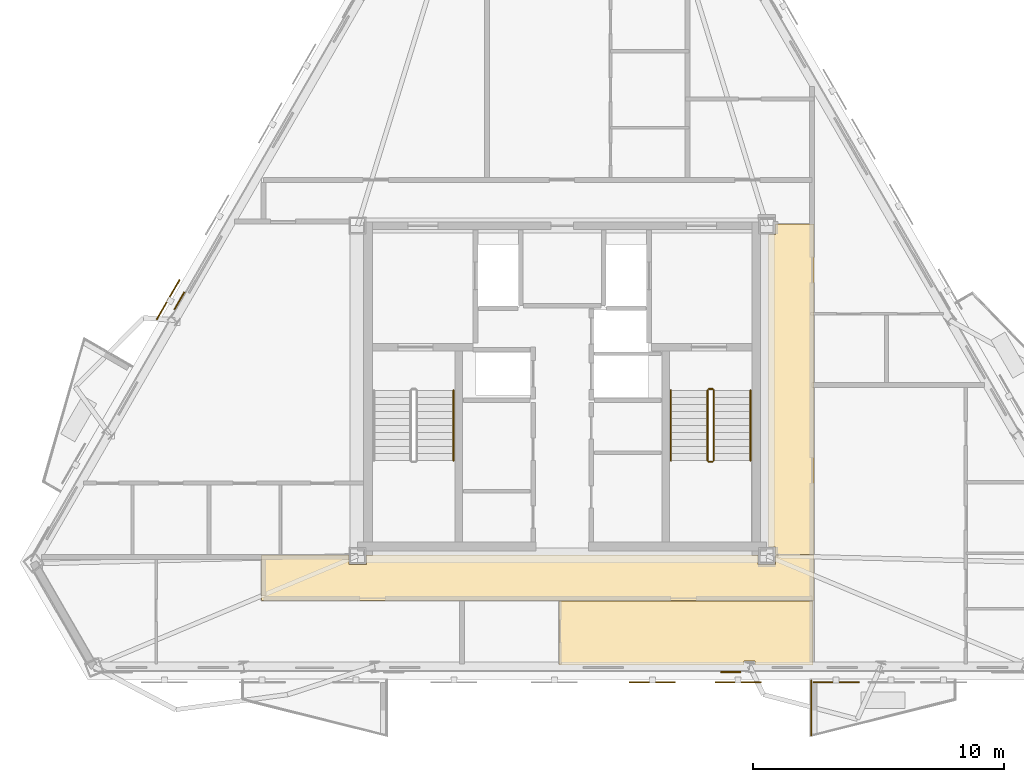
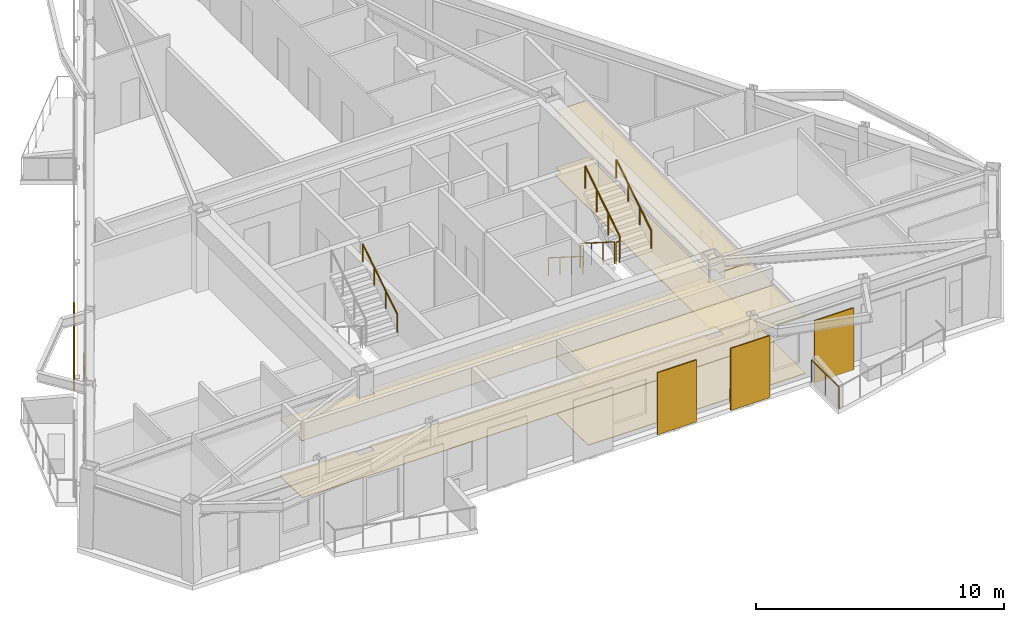
# One storey, part 8 of 9: 8 coverings, 8 railings, 4 shading devices.
"""IFC4 building model written with IfcOpenShell, lengths in metres."""

from ifc_helpers import new_model, si_unit, direction, frame, origin, origin_2d, place, context, subcontext, project, spatial, polyline, rectangle, circle, outline, extrude, material, layer, layer_set, type_object, element, save


model = new_model("IFC4")

# Units and contexts
model_context = context("Model", 3, precision=1e-05, world=origin(), true_north=direction((0.0, 1.0)))
body_context = subcontext(model_context, "Body", "Model", "MODEL_VIEW")
ifc_project = project(units=[si_unit("LENGTHUNIT", "METRE"), si_unit("AREAUNIT", "SQUARE_METRE"), si_unit("VOLUMEUNIT", "CUBIC_METRE"), si_unit("PLANEANGLEUNIT", "RADIAN"), si_unit("MASSUNIT", "GRAM", prefix="KILO")], contexts=[model_context])

# Site, building, storey
site_placement = place(None, origin())
site = spatial("IfcSite", under=ifc_project, at=site_placement, CompositionType="ELEMENT")
building_placement = place(site_placement, origin())
building = spatial("IfcBuilding", under=site, at=building_placement, Name="Oramaril Tower", CompositionType="ELEMENT")
storey_placement = place(building_placement, frame((0.0, 0.0, 269.39990234375)))
storey = spatial("IfcBuildingStorey", under=building, at=storey_placement, Name="L71", CompositionType="ELEMENT", Elevation=269.39990234375)

# Coverings
ifc_material_1 = material(Name="Mineral Fibre Acoustic Ceiling")
ifc_layer_1 = layer(ifc_material_1, 0.02001953125)
ifc_layer_set_1 = layer_set([ifc_layer_1], Name="CVT-CEIL")
covering_type_1 = type_object("IfcCoveringType", Name="CVT-CEIL", PredefinedType="CEILING", material=ifc_layer_set_1)
covering_1_placement = place(storey_placement, frame((0.0, 0.0, 2.81201171875)))
element("IfcCovering", 1, at=covering_1_placement, inside=storey, type_object=covering_type_1, Name="L71 Acoustic Suspended Ceiling 1", PredefinedType="CEILING", context=body_context, shape_type="SweptSolid", body=[
    extrude(outline(polyline([(29.0048828125, 10.655029296875), (29.695068359375, 10.655029296875), (29.695068359375, 11.030029296875), (45.304931640625, 11.030029296875), (45.304931640625, 10.655029296875), (45.9951171875, 10.655029296875), (45.9951171875, 11.030029296875), (47.530029296875, 11.030029296875), (47.530029296875, 9.219970703125), (25.52001953125, 9.219970703125), (25.52001953125, 11.030029296875), (29.0048828125, 11.030029296875), (29.0048828125, 10.655029296875)])), origin(), (0.0, 0.0, 1.0), 0.02001953125),
])
covering_2_placement = place(storey_placement, frame((0.0, 0.0, 2.81201171875)))
element("IfcCovering", 2, at=covering_2_placement, inside=storey, type_object=covering_type_1, Name="L71 Acoustic Suspended Ceiling 3", PredefinedType="CEILING", context=body_context, shape_type="SweptSolid", body=[
    extrude(outline(polyline([(47.530029296875, 11.050048828125), (45.9951171875, 11.050048828125), (45.9951171875, 11.344970703125), (45.719970703125, 11.344970703125), (45.719970703125, 23.804931640625), (45.9951171875, 23.804931640625), (45.9951171875, 24.219970703125), (47.530029296875, 24.219970703125), (47.530029296875, 11.050048828125)])), origin(), (0.0, 0.0, 1.0), 0.02001953125),
])
covering_3_placement = place(storey_placement, frame((0.0, 0.0, 2.81201171875)))
element("IfcCovering", 3, at=covering_3_placement, inside=storey, type_object=covering_type_1, Name="L71 Acoustic Suspended Ceiling 6", PredefinedType="CEILING", context=body_context, shape_type="SweptSolid", body=[
    extrude(outline(polyline([(45.175048828125, 6.800537109375), (44.752685546875, 6.800537109375), (44.752685546875, 6.642578125), (37.364013671875, 6.642578125), (37.364013671875, 9.199951171875), (47.491943359375, 9.199951171875), (47.491943359375, 6.642578125), (45.175048828125, 6.642578125), (45.175048828125, 6.800537109375)])), origin(), (0.0, 0.0, 1.0), 0.02001953125),
])
ifc_material_2 = material(Name="Warm Cream Limestone", Category="masonry")
ifc_layer_2 = layer(ifc_material_2, 0.050048828125)
ifc_layer_set_2 = layer_set([ifc_layer_2], Name="CVT-CLD")
covering_type_2 = type_object("IfcCoveringType", Name="CVT-CLD", PredefinedType="CLADDING", material=ifc_layer_set_2)
for number, where, z_axis, x_axis, name in (
    (4, (44.213134765625, 6.36669921875, 0.0400390625), (0.0, 0.0, 1.0), (1.0, 0.0, 0.0), "L71 Warm Cream Limestone Spandrel Cladding"),
    (5, (22.25, 21.15283203125, 0.0400390625), (0.0, 0.0, 1.0), (-0.5, -0.866025403784, 0.0), "L71 Warm Cream Limestone Spandrel Cladding"),
):
    element("IfcCovering", number, at=place(storey_placement, frame(where, z_axis=z_axis, x_axis=x_axis)), inside=storey, type_object=covering_type_2, Name=name, PredefinedType="CLADDING", context=body_context, shape_type="SweptSolid", body=[
        extrude(rectangle(XDim=0.800048828125, YDim=0.050048828125, at=origin_2d()), origin(), (0.0, 0.0, 1.0), 0.679931640625),
    ])
ifc_material_3 = material(Name="Honed Quartzite Stone Flooring", Category="masonry")
ifc_layer_3 = layer(ifc_material_3, 0.02490234375)
ifc_layer_set_3 = layer_set([ifc_layer_3], Name="CVT-FLR")
covering_type_3 = type_object("IfcCoveringType", Name="CVT-FLR", PredefinedType="FLOORING", material=ifc_layer_set_3)
covering_4_placement = place(storey_placement, origin())
element("IfcCovering", 6, at=covering_4_placement, inside=storey, type_object=covering_type_3, Name="L71 Honed Stone Floor Finish 1", PredefinedType="FLOORING", context=body_context, shape_type="SweptSolid", body=[
    extrude(outline(polyline([(29.0048828125, 10.655029296875), (29.695068359375, 10.655029296875), (29.695068359375, 11.030029296875), (45.304931640625, 11.030029296875), (45.304931640625, 10.655029296875), (45.9951171875, 10.655029296875), (45.9951171875, 11.030029296875), (47.530029296875, 11.030029296875), (47.530029296875, 9.219970703125), (25.52001953125, 9.219970703125), (25.52001953125, 11.030029296875), (29.0048828125, 11.030029296875), (29.0048828125, 10.655029296875)])), origin(), (0.0, 0.0, 1.0), 0.025146484375),
])
covering_5_placement = place(storey_placement, origin())
element("IfcCovering", 7, at=covering_5_placement, inside=storey, type_object=covering_type_3, Name="L71 Honed Stone Floor Finish 3", PredefinedType="FLOORING", context=body_context, shape_type="SweptSolid", body=[
    extrude(outline(polyline([(47.530029296875, 11.050048828125), (45.9951171875, 11.050048828125), (45.9951171875, 11.344970703125), (45.719970703125, 11.344970703125), (45.719970703125, 23.804931640625), (45.9951171875, 23.804931640625), (45.9951171875, 24.219970703125), (47.530029296875, 24.219970703125), (47.530029296875, 11.050048828125)])), origin(), (0.0, 0.0, 1.0), 0.025146484375),
])
covering_6_placement = place(storey_placement, origin())
element("IfcCovering", 8, at=covering_6_placement, inside=storey, type_object=covering_type_3, Name="L71 Honed Stone Floor Finish 6", PredefinedType="FLOORING", context=body_context, shape_type="SweptSolid", body=[
    extrude(outline(polyline([(45.175048828125, 6.800537109375), (44.752685546875, 6.800537109375), (44.752685546875, 6.642578125), (37.364013671875, 6.642578125), (37.364013671875, 9.199951171875), (47.491943359375, 9.199951171875), (47.491943359375, 6.642578125), (45.175048828125, 6.642578125), (45.175048828125, 6.800537109375)])), origin(), (0.0, 0.0, 1.0), 0.025146484375),
])

# Railings
ifc_material_4 = material(Name="Stainless Steel 316L", Category="steel")
railing_type_1 = type_object("IfcRailingType", Name="RLT-GRD", PredefinedType="GUARDRAIL", material=ifc_material_4)
railing_1_placement = place(storey_placement, frame((47.423583984375, 3.834716796875, 0.0)))
element("IfcRailing", 9, at=railing_1_placement, inside=storey, type_object=railing_type_1, Name="L71 Balcony Guardrail L71-BAL-S2.3", PredefinedType="GUARDRAIL", context=body_context, shape_type="SweptSolid", body=[
    extrude(circle(Radius=0.02392578125, at=origin_2d()), frame((0.0, 0.0, 1.076171875), z_axis=(0.0, 1.0, 0.0), x_axis=(-1.0, 0.0, 0.0)), (0.0, 0.0, 1.0), 2.19189453125),
    extrude(circle(Radius=0.02099609375, at=origin_2d()), origin(), (0.0, 0.0, 1.0), 1.052001953125),
    extrude(circle(Radius=0.02099609375, at=origin_2d()), frame((0.0, 1.095947265625, 0.0)), (0.0, 0.0, 1.0), 1.052001953125),
    extrude(circle(Radius=0.02099609375, at=origin_2d()), frame((0.0, 2.19189453125, 0.0)), (0.0, 0.0, 1.0), 1.052001953125),
])
railing_2_placement = place(storey_placement, frame((43.2900390625, 17.590087890625, 0.177490234375)))
element("IfcRailing", 10, at=railing_2_placement, inside=storey, type_object=railing_type_1, Name="L71 ST-2 stair guard 1", PredefinedType="GUARDRAIL", context=body_context, shape_type="SweptSolid", body=[
    extrude(circle(Radius=0.02392578125, at=origin_2d()), frame((0.0, 0.0, 1.076171875), z_axis=(0.0, -0.844908973607, 0.534910110503), x_axis=(1.0, 0.0, 0.0)), (0.0, 0.0, 1.0), 3.31396484375),
    extrude(circle(Radius=0.02099609375, at=origin_2d()), origin(), (0.0, 0.0, 1.0), 1.052001953125),
    extrude(circle(Radius=0.02099609375, at=origin_2d()), frame((0.0, -0.933349609375, 0.5908203125)), (0.0, 0.0, 1.0), 1.052001953125),
    extrude(circle(Radius=0.02099609375, at=origin_2d()), frame((0.0, -1.86669921875, 1.181884765625)), (0.0, 0.0, 1.0), 1.052001953125),
    extrude(circle(Radius=0.02099609375, at=origin_2d()), frame((0.0, -2.800048828125, 1.772705078125)), (0.0, 0.0, 1.0), 1.052001953125),
])
railing_3_placement = place(storey_placement, frame((43.340087890625, 14.739990234375, 1.9501953125)))
element("IfcRailing", 11, at=railing_3_placement, inside=storey, type_object=railing_type_1, Name="L71 ST-2 stair guard 2", PredefinedType="GUARDRAIL", context=body_context, shape_type="SweptSolid", body=[
    extrude(circle(Radius=0.02392578125, at=origin_2d()), frame((0.0, 0.0, 1.076171875), z_axis=(1.0, 0.0, 0.0), x_axis=(0.0, 1.0, 0.0)), (0.0, 0.0, 1.0), 0.14990234375),
    extrude(circle(Radius=0.02099609375, at=origin_2d()), origin(), (0.0, 0.0, 1.0), 1.052001953125),
    extrude(circle(Radius=0.02099609375, at=origin_2d()), frame((0.14990234375, 0.0, 0.0)), (0.0, 0.0, 1.0), 1.052001953125),
])
railing_4_placement = place(storey_placement, frame((43.5400390625, 14.7900390625, 2.12744140625)))
element("IfcRailing", 12, at=railing_4_placement, inside=storey, type_object=railing_type_1, Name="L71 ST-2 stair guard 3", PredefinedType="GUARDRAIL", context=body_context, shape_type="SweptSolid", body=[
    extrude(circle(Radius=0.02392578125, at=origin_2d()), frame((0.0, 0.0, 1.076171875), z_axis=(0.0, 0.844908973607, 0.534910110503), x_axis=(-1.0, 0.0, 0.0)), (0.0, 0.0, 1.0), 3.31396484375),
    extrude(circle(Radius=0.02099609375, at=origin_2d()), origin(), (0.0, 0.0, 1.0), 1.052001953125),
    extrude(circle(Radius=0.02099609375, at=origin_2d()), frame((0.0, 0.933349609375, 0.5908203125)), (0.0, 0.0, 1.0), 1.052001953125),
    extrude(circle(Radius=0.02099609375, at=origin_2d()), frame((0.0, 1.86669921875, 1.181884765625)), (0.0, 0.0, 1.0), 1.052001953125),
    extrude(circle(Radius=0.02099609375, at=origin_2d()), frame((0.0, 2.800048828125, 1.772705078125)), (0.0, 0.0, 1.0), 1.052001953125),
])
railing_5_placement = place(storey_placement, frame((43.340087890625, 17.639892578125, 0.0)))
element("IfcRailing", 13, at=railing_5_placement, inside=storey, type_object=railing_type_1, Name="L71 ST-2 stair guard 4", PredefinedType="GUARDRAIL", context=body_context, shape_type="SweptSolid", body=[
    extrude(circle(Radius=0.02392578125, at=origin_2d()), frame((0.0, 0.0, 1.076171875), z_axis=(1.0, 0.0, 0.0), x_axis=(0.0, 1.0, 0.0)), (0.0, 0.0, 1.0), 0.14990234375),
    extrude(circle(Radius=0.02099609375, at=origin_2d()), origin(), (0.0, 0.0, 1.0), 1.052001953125),
    extrude(circle(Radius=0.02099609375, at=origin_2d()), frame((0.14990234375, 0.0, 0.0)), (0.0, 0.0, 1.0), 1.052001953125),
])
ifc_material_5 = material(Name="Stainless Steel 316L", Category="steel")
railing_type_2 = type_object("IfcRailingType", Name="RLT-HND", PredefinedType="HANDRAIL", material=ifc_material_5)
railing_6_placement = place(storey_placement, frame((33.169921875, 14.7900390625, 2.12744140625)))
element("IfcRailing", 14, at=railing_6_placement, inside=storey, type_object=railing_type_2, Name="L71 ST-1 stair handrail 2", PredefinedType="HANDRAIL", context=body_context, shape_type="SweptSolid", body=[
    extrude(circle(Radius=0.02392578125, at=origin_2d()), frame((0.0, 0.0, 0.8759765625), z_axis=(0.0, 0.844908973607, 0.534910110503), x_axis=(-1.0, 0.0, 0.0)), (0.0, 0.0, 1.0), 3.31396484375),
    extrude(circle(Radius=0.02099609375, at=origin_2d()), origin(), (0.0, 0.0, 1.0), 0.851806640625),
    extrude(circle(Radius=0.02099609375, at=origin_2d()), frame((0.0, 0.933349609375, 0.5908203125)), (0.0, 0.0, 1.0), 0.851806640625),
    extrude(circle(Radius=0.02099609375, at=origin_2d()), frame((0.0, 1.86669921875, 1.181884765625)), (0.0, 0.0, 1.0), 0.851806640625),
    extrude(circle(Radius=0.02099609375, at=origin_2d()), frame((0.0, 2.800048828125, 1.772705078125)), (0.0, 0.0, 1.0), 0.851806640625),
])
railing_7_placement = place(storey_placement, frame((41.830078125, 17.590087890625, 0.177490234375)))
element("IfcRailing", 15, at=railing_7_placement, inside=storey, type_object=railing_type_2, Name="L71 ST-2 stair handrail 1", PredefinedType="HANDRAIL", context=body_context, shape_type="SweptSolid", body=[
    extrude(circle(Radius=0.02392578125, at=origin_2d()), frame((0.0, 0.0, 0.8759765625), z_axis=(0.0, -0.844908973607, 0.534910110503), x_axis=(1.0, 0.0, 0.0)), (0.0, 0.0, 1.0), 3.31396484375),
    extrude(circle(Radius=0.02099609375, at=origin_2d()), origin(), (0.0, 0.0, 1.0), 0.851806640625),
    extrude(circle(Radius=0.02099609375, at=origin_2d()), frame((0.0, -0.933349609375, 0.5908203125)), (0.0, 0.0, 1.0), 0.851806640625),
    extrude(circle(Radius=0.02099609375, at=origin_2d()), frame((0.0, -1.86669921875, 1.181884765625)), (0.0, 0.0, 1.0), 0.851806640625),
    extrude(circle(Radius=0.02099609375, at=origin_2d()), frame((0.0, -2.800048828125, 1.772705078125)), (0.0, 0.0, 1.0), 0.851806640625),
])
railing_8_placement = place(storey_placement, frame((45.0, 14.7900390625, 2.12744140625)))
element("IfcRailing", 16, at=railing_8_placement, inside=storey, type_object=railing_type_2, Name="L71 ST-2 stair handrail 2", PredefinedType="HANDRAIL", context=body_context, shape_type="SweptSolid", body=[
    extrude(circle(Radius=0.02392578125, at=origin_2d()), frame((0.0, 0.0, 0.8759765625), z_axis=(0.0, 0.844908973607, 0.534910110503), x_axis=(-1.0, 0.0, 0.0)), (0.0, 0.0, 1.0), 3.31396484375),
    extrude(circle(Radius=0.02099609375, at=origin_2d()), origin(), (0.0, 0.0, 1.0), 0.851806640625),
    extrude(circle(Radius=0.02099609375, at=origin_2d()), frame((0.0, 0.933349609375, 0.5908203125)), (0.0, 0.0, 1.0), 0.851806640625),
    extrude(circle(Radius=0.02099609375, at=origin_2d()), frame((0.0, 1.86669921875, 1.181884765625)), (0.0, 0.0, 1.0), 0.851806640625),
    extrude(circle(Radius=0.02099609375, at=origin_2d()), frame((0.0, 2.800048828125, 1.772705078125)), (0.0, 0.0, 1.0), 0.851806640625),
])

# Shading devices
for number, where, z_axis, x_axis, name in (
    (17, (41.0908203125, 5.95458984375, -0.02001953125), (0.0, 0.0, 1.0), (1.0, 0.0, 0.0), "L71 Perforated Ceramic Solar Screen"),
    (18, (44.51123046875, 5.95458984375, -0.02001953125), (0.0, 0.0, 1.0), (1.0, 0.0, 0.0), "L71 Perforated Ceramic Solar Screen"),
    (19, (48.4111328125, 5.95458984375, -0.02001953125), (0.0, 0.0, 1.0), (1.0, 0.0, 0.0), "L71 Perforated Ceramic Solar Screen"),
    (20, (21.802734375, 21.201904296875, -0.02001953125), (0.0, 0.0, 1.0), (-0.5, -0.866025403784, 0.0), "L71 Perforated Ceramic Solar Screen"),
):
    element("IfcShadingDevice", number, at=place(storey_placement, frame(where, z_axis=z_axis, x_axis=x_axis)), inside=storey, Name=name, ObjectType="SCREEN", PredefinedType="USERDEFINED", context=body_context, shape_type="SweptSolid", body=[
        extrude(rectangle(XDim=1.8330078125, YDim=0.050048828125, at=origin_2d()), origin(), (0.0, 0.0, 1.0), 3.05810546875),
    ])

save(model, "model.ifc")
